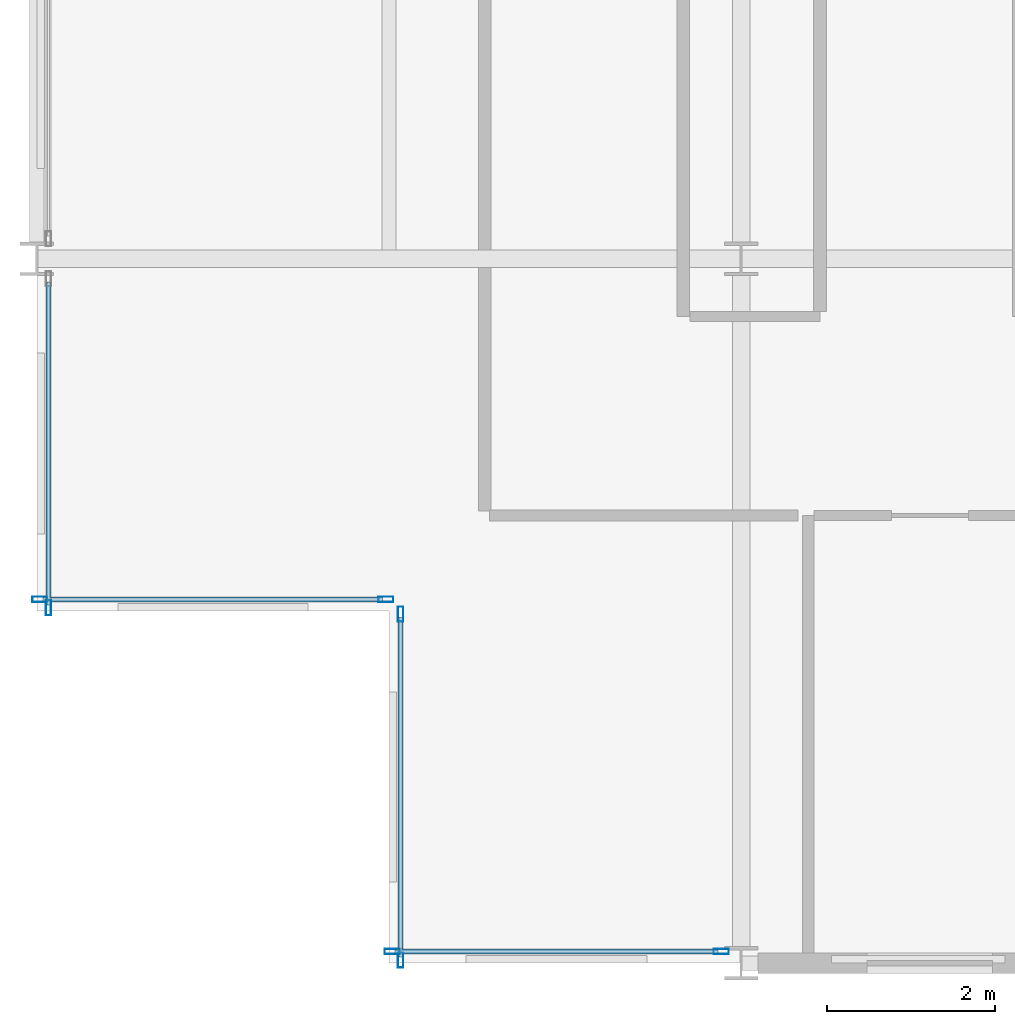
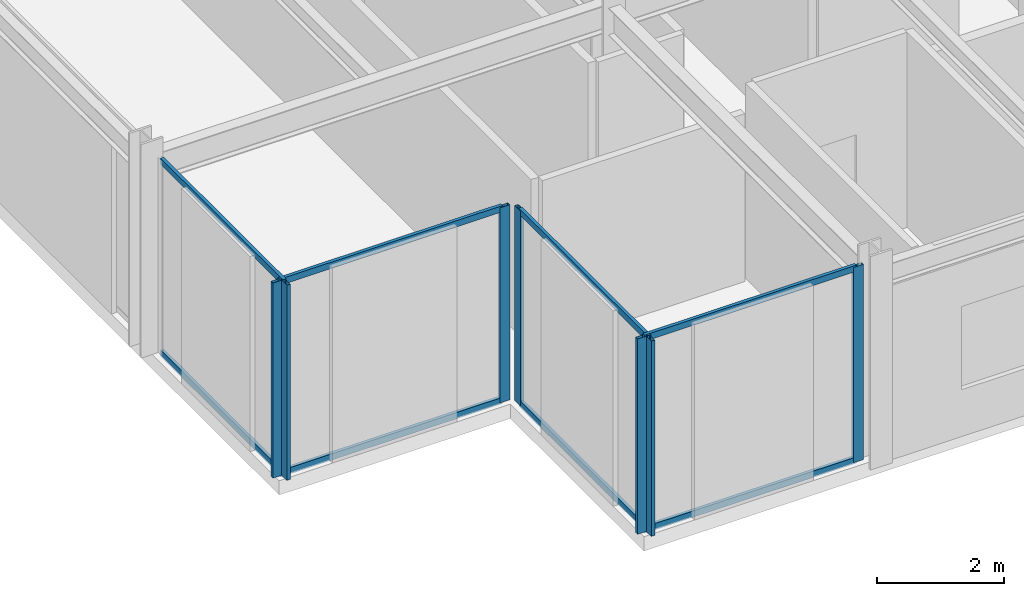
# One storey, part 2 of 29: 15 members, 4 elements without a shape of their own.
"""IFC4 building model written with IfcOpenShell, lengths in metres."""

from ifc_helpers import new_model, si_unit, direction, frame, origin, origin_2d, place, context, subcontext, project, spatial, hollow_rectangle, extrude, material, layer, layer_set, material_profile, profile_set, type_object, element, aggregate, save


model = new_model("IFC4")

# Units and contexts
model_context = context("Model", 3, precision=1e-05, world=origin(), true_north=direction((0.0, 1.0)))
body_context = subcontext(model_context, "Body", "Model", "MODEL_VIEW")
ifc_project = project(units=[si_unit("LENGTHUNIT", "METRE"), si_unit("AREAUNIT", "SQUARE_METRE"), si_unit("VOLUMEUNIT", "CUBIC_METRE"), si_unit("PLANEANGLEUNIT", "RADIAN"), si_unit("MASSUNIT", "GRAM", prefix="KILO")], contexts=[model_context])

# Site, building, storey
site_placement = place(None, origin())
site = spatial("IfcSite", under=ifc_project, at=site_placement, CompositionType="ELEMENT")
building_placement = place(site_placement, origin())
building = spatial("IfcBuilding", under=site, at=building_placement, Name="Nerrivon Quay Data Exchange", CompositionType="ELEMENT")
storey_placement = place(building_placement, frame((0.0, 0.0, 158.199951171875)))
storey = spatial("IfcBuildingStorey", under=building, at=storey_placement, Name="L37", CompositionType="ELEMENT", Elevation=158.199951171875)

# Curtain wall, members
ifc_material = material(Name="Anodised aluminium 6063-T6", Category="aluminium")
ifc_layer = layer(ifc_material, 0.2099609375)
ifc_layer_set = layer_set([ifc_layer], Name="Anodised aluminium 6063-T6")
curtain_wall_type = type_object("IfcCurtainWallType", Name="CW-SYS-02", PredefinedType="NOTDEFINED", material=ifc_layer_set)
curtain_wall_1_placement = place(storey_placement, origin())
curtain_wall_1 = element("IfcCurtainWall", 1, at=curtain_wall_1_placement, inside=storey, type_object=curtain_wall_type, Name="L37 Unitised Curtain Wall 8", PredefinedType="NOTDEFINED")
ifc_material_profile_1 = material_profile(ifc_material, hollow_rectangle(XDim=0.06494140625, YDim=0.179931640625, WallThickness=0.00341796875, at=origin_2d()), Name="ALU-MULL-180x65")
ifc_profile_set_1 = profile_set([ifc_material_profile_1], Name="Anodised aluminium 6063-T6")
member_type_1 = type_object("IfcMemberType", Name="CWM-180x65", PredefinedType="MULLION", material=ifc_profile_set_1)
member_1_placement = place(storey_placement, frame((8.16259765625, 0.139892578125, 0.0), z_axis=(0.0, 0.0, 1.0), x_axis=(0.0, -1.0, 0.0)))
member_1 = element("IfcMember", 2, at=member_1_placement, type_object=member_type_1, Name="CW02 mullion 1", PredefinedType="MULLION", context=body_context, shape_type="SweptSolid", body=[
    extrude(hollow_rectangle(XDim=0.06494140625, YDim=0.179931640625, WallThickness=0.00341796875, at=origin_2d()), origin(), (0.0, 0.0, 1.0), 3.75),
])
member_2_placement = place(storey_placement, frame((4.237548828125, 0.139892578125, 0.0), z_axis=(0.0, 0.0, 1.0), x_axis=(0.0, -1.0, 0.0)))
member_2 = element("IfcMember", 3, at=member_2_placement, type_object=member_type_1, Name="CW02 mullion 2", PredefinedType="MULLION", context=body_context, shape_type="SweptSolid", body=[
    extrude(hollow_rectangle(XDim=0.06494140625, YDim=0.179931640625, WallThickness=0.00341796875, at=origin_2d()), origin(), (0.0, 0.0, 1.0), 3.75),
])

curtain_wall_2_placement = place(storey_placement, origin())
curtain_wall_2 = element("IfcCurtainWall", 4, at=curtain_wall_2_placement, inside=storey, type_object=curtain_wall_type, Name="L37 Unitised Curtain Wall 9", PredefinedType="NOTDEFINED")
member_3_placement = place(storey_placement, frame((4.340087890625, 0.03759765625, 0.0), z_axis=(0.0, 0.0, 1.0), x_axis=(-1.0, 0.0, 0.0)))
member_3 = element("IfcMember", 5, at=member_3_placement, type_object=member_type_1, Name="CW02 mullion 1", PredefinedType="MULLION", context=body_context, shape_type="SweptSolid", body=[
    extrude(hollow_rectangle(XDim=0.06494140625, YDim=0.179931640625, WallThickness=0.00341796875, at=origin_2d()), origin(), (0.0, 0.0, 1.0), 3.75),
])
member_4_placement = place(storey_placement, frame((4.340087890625, 4.16259765625, 0.0), z_axis=(0.0, 0.0, 1.0), x_axis=(-1.0, 0.0, 0.0)))
member_4 = element("IfcMember", 6, at=member_4_placement, type_object=member_type_1, Name="CW02 mullion 2", PredefinedType="MULLION", context=body_context, shape_type="SweptSolid", body=[
    extrude(hollow_rectangle(XDim=0.06494140625, YDim=0.179931640625, WallThickness=0.00341796875, at=origin_2d()), origin(), (0.0, 0.0, 1.0), 3.75),
])

curtain_wall_3_placement = place(storey_placement, origin())
curtain_wall_3 = element("IfcCurtainWall", 7, at=curtain_wall_3_placement, inside=storey, type_object=curtain_wall_type, Name="L37 Unitised Curtain Wall 10", PredefinedType="NOTDEFINED")
member_5_placement = place(storey_placement, frame((4.16259765625, 4.340087890625, 0.0), z_axis=(0.0, 0.0, 1.0), x_axis=(0.0, -1.0, 0.0)))
member_5 = element("IfcMember", 8, at=member_5_placement, type_object=member_type_1, Name="CW02 mullion 1", PredefinedType="MULLION", context=body_context, shape_type="SweptSolid", body=[
    extrude(hollow_rectangle(XDim=0.06494140625, YDim=0.179931640625, WallThickness=0.00341796875, at=origin_2d()), origin(), (0.0, 0.0, 1.0), 3.75),
])
member_6_placement = place(storey_placement, frame((0.03759765625, 4.340087890625, 0.0), z_axis=(0.0, 0.0, 1.0), x_axis=(0.0, -1.0, 0.0)))
member_6 = element("IfcMember", 9, at=member_6_placement, type_object=member_type_1, Name="CW02 mullion 2", PredefinedType="MULLION", context=body_context, shape_type="SweptSolid", body=[
    extrude(hollow_rectangle(XDim=0.06494140625, YDim=0.179931640625, WallThickness=0.00341796875, at=origin_2d()), origin(), (0.0, 0.0, 1.0), 3.75),
])

# Curtain wall, member
curtain_wall_4_placement = place(storey_placement, origin())
curtain_wall_4 = element("IfcCurtainWall", 10, at=curtain_wall_4_placement, inside=storey, type_object=curtain_wall_type, Name="L37 Unitised Curtain Wall 11", PredefinedType="NOTDEFINED")
member_7_placement = place(storey_placement, frame((0.139892578125, 4.237548828125, 0.0), z_axis=(0.0, 0.0, 1.0), x_axis=(-1.0, 0.0, 0.0)))
member_7 = element("IfcMember", 11, at=member_7_placement, type_object=member_type_1, Name="CW02 mullion 1", PredefinedType="MULLION", context=body_context, shape_type="SweptSolid", body=[
    extrude(hollow_rectangle(XDim=0.06494140625, YDim=0.179931640625, WallThickness=0.00341796875, at=origin_2d()), origin(), (0.0, 0.0, 1.0), 3.75),
])

# Member
ifc_material_profile_2 = material_profile(ifc_material, hollow_rectangle(XDim=0.06005859375, YDim=0.1201171875, WallThickness=0.003173828125, at=origin_2d()), Name="ALU-TRAN-120x60")
ifc_profile_set_2 = profile_set([ifc_material_profile_2], Name="Anodised aluminium 6063-T6")
member_type_2 = type_object("IfcMemberType", Name="CWT-120x60", PredefinedType="USERDEFINED", material=ifc_profile_set_2)
member_8_placement = place(storey_placement, frame((8.125, 0.139892578125, 0.032470703125), z_axis=(-1.0, 0.0, 0.0), x_axis=(0.0, -1.0, 0.0)))
member_8 = element("IfcMember", 12, at=member_8_placement, type_object=member_type_2, Name="CW02 transom 1.1", ObjectType="TRANSOM", PredefinedType="USERDEFINED", context=body_context, shape_type="SweptSolid", body=[
    extrude(hollow_rectangle(XDim=0.06005859375, YDim=0.1201171875, WallThickness=0.003173828125, at=origin_2d()), origin(), (0.0, 0.0, 1.0), 3.85009765625),
])

member_9_placement = place(storey_placement, frame((8.125, 0.139892578125, 3.717529296875), z_axis=(-1.0, 0.0, 0.0), x_axis=(0.0, -1.0, 0.0)))
member_9 = element("IfcMember", 13, at=member_9_placement, type_object=member_type_2, Name="CW02 transom 1.2", ObjectType="TRANSOM", PredefinedType="USERDEFINED", context=body_context, shape_type="SweptSolid", body=[
    extrude(hollow_rectangle(XDim=0.06005859375, YDim=0.1201171875, WallThickness=0.003173828125, at=origin_2d()), origin(), (0.0, 0.0, 1.0), 3.85009765625),
])

aggregate(curtain_wall_1, [member_1, member_2, member_8, member_9])

member_10_placement = place(storey_placement, frame((4.340087890625, 0.074951171875, 0.032470703125), z_axis=(0.0, 1.0, 0.0), x_axis=(-1.0, 0.0, 0.0)))
member_10 = element("IfcMember", 14, at=member_10_placement, type_object=member_type_2, Name="CW02 transom 1.1", ObjectType="TRANSOM", PredefinedType="USERDEFINED", context=body_context, shape_type="SweptSolid", body=[
    extrude(hollow_rectangle(XDim=0.06005859375, YDim=0.1201171875, WallThickness=0.003173828125, at=origin_2d()), origin(), (0.0, 0.0, 1.0), 4.050048828125),
])

member_11_placement = place(storey_placement, frame((4.340087890625, 0.074951171875, 3.717529296875), z_axis=(0.0, 1.0, 0.0), x_axis=(-1.0, 0.0, 0.0)))
member_11 = element("IfcMember", 15, at=member_11_placement, type_object=member_type_2, Name="CW02 transom 1.2", ObjectType="TRANSOM", PredefinedType="USERDEFINED", context=body_context, shape_type="SweptSolid", body=[
    extrude(hollow_rectangle(XDim=0.06005859375, YDim=0.1201171875, WallThickness=0.003173828125, at=origin_2d()), origin(), (0.0, 0.0, 1.0), 4.050048828125),
])

aggregate(curtain_wall_2, [member_3, member_4, member_10, member_11])

member_12_placement = place(storey_placement, frame((4.125, 4.340087890625, 0.032470703125), z_axis=(-1.0, 0.0, 0.0), x_axis=(0.0, -1.0, 0.0)))
member_12 = element("IfcMember", 16, at=member_12_placement, type_object=member_type_2, Name="CW02 transom 1.1", ObjectType="TRANSOM", PredefinedType="USERDEFINED", context=body_context, shape_type="SweptSolid", body=[
    extrude(hollow_rectangle(XDim=0.06005859375, YDim=0.1201171875, WallThickness=0.003173828125, at=origin_2d()), origin(), (0.0, 0.0, 1.0), 4.050048828125),
])

member_13_placement = place(storey_placement, frame((4.125, 4.340087890625, 3.717529296875), z_axis=(-1.0, 0.0, 0.0), x_axis=(0.0, -1.0, 0.0)))
member_13 = element("IfcMember", 17, at=member_13_placement, type_object=member_type_2, Name="CW02 transom 1.2", ObjectType="TRANSOM", PredefinedType="USERDEFINED", context=body_context, shape_type="SweptSolid", body=[
    extrude(hollow_rectangle(XDim=0.06005859375, YDim=0.1201171875, WallThickness=0.003173828125, at=origin_2d()), origin(), (0.0, 0.0, 1.0), 4.050048828125),
])

aggregate(curtain_wall_3, [member_5, member_6, member_12, member_13])

member_14_placement = place(storey_placement, frame((0.139892578125, 4.27490234375, 0.032470703125), z_axis=(0.0, 1.0, 0.0), x_axis=(-1.0, 0.0, 0.0)))
member_14 = element("IfcMember", 18, at=member_14_placement, type_object=member_type_2, Name="CW02 transom 1.1", ObjectType="TRANSOM", PredefinedType="USERDEFINED", context=body_context, shape_type="SweptSolid", body=[
    extrude(hollow_rectangle(XDim=0.06005859375, YDim=0.1201171875, WallThickness=0.003173828125, at=origin_2d()), origin(), (0.0, 0.0, 1.0), 3.85009765625),
])

member_15_placement = place(storey_placement, frame((0.139892578125, 4.27490234375, 3.717529296875), z_axis=(0.0, 1.0, 0.0), x_axis=(-1.0, 0.0, 0.0)))
member_15 = element("IfcMember", 19, at=member_15_placement, type_object=member_type_2, Name="CW02 transom 1.2", ObjectType="TRANSOM", PredefinedType="USERDEFINED", context=body_context, shape_type="SweptSolid", body=[
    extrude(hollow_rectangle(XDim=0.06005859375, YDim=0.1201171875, WallThickness=0.003173828125, at=origin_2d()), origin(), (0.0, 0.0, 1.0), 3.85009765625),
])

aggregate(curtain_wall_4, [member_7, member_14, member_15])

save(model, "model.ifc")
